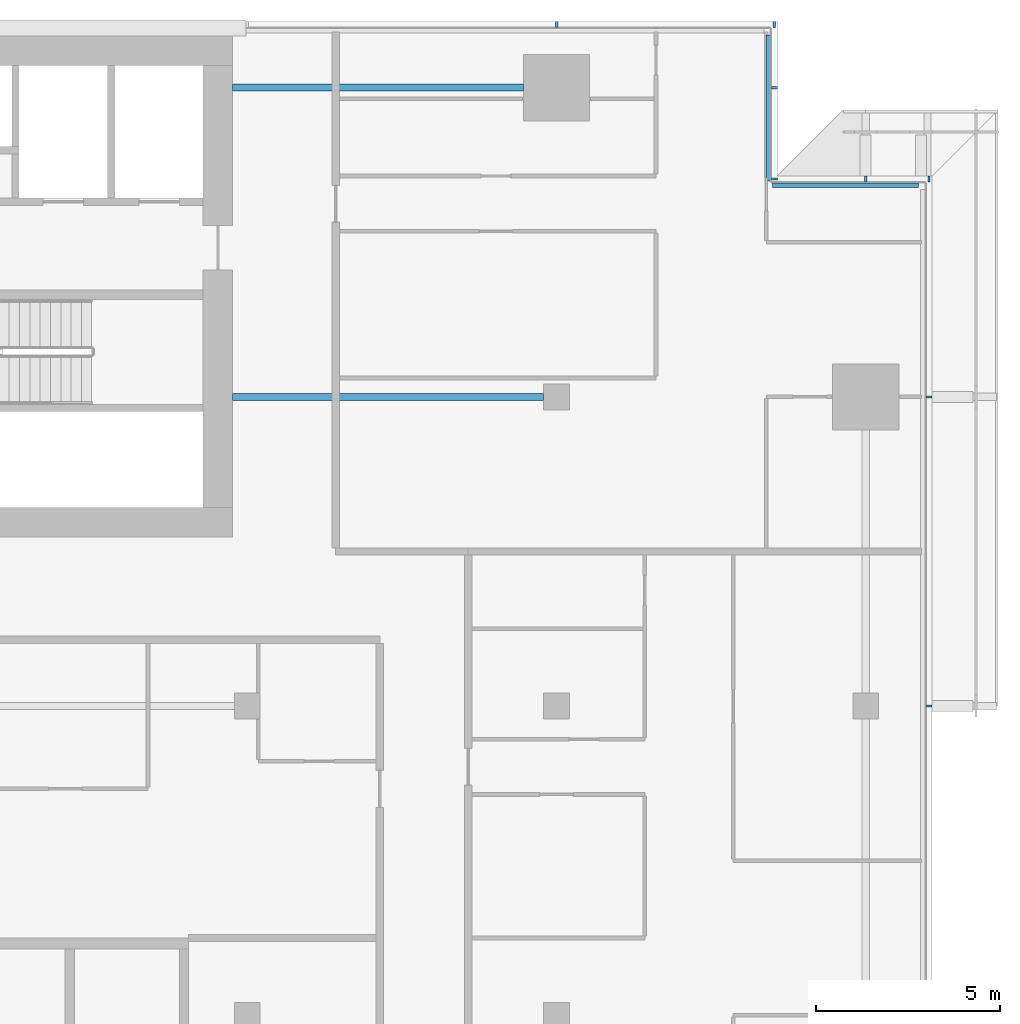
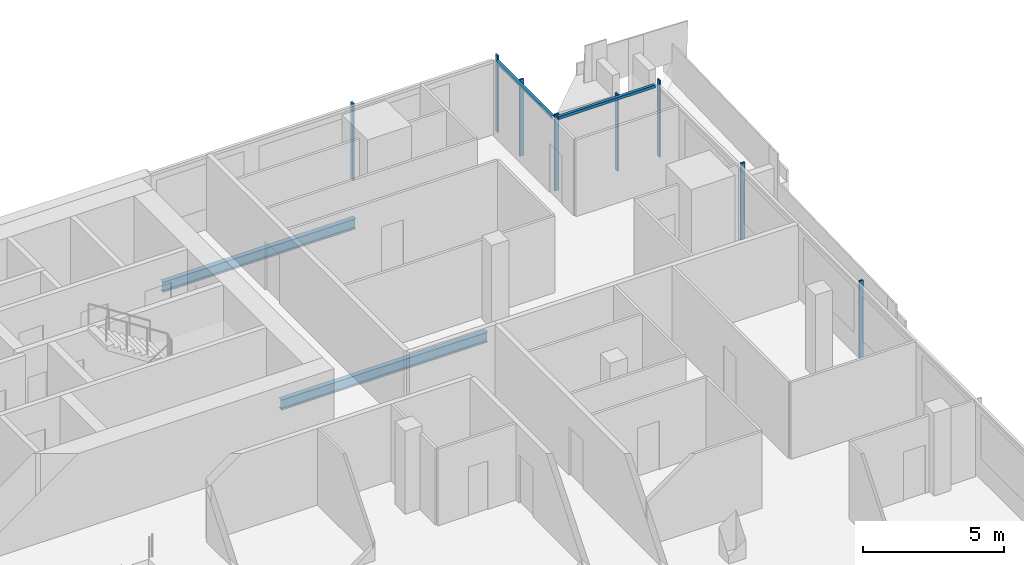
# One storey, part 14 of 30: 10 members, 2 beams, 4 elements without a shape of their own.
"""IFC4 building model written with IfcOpenShell, lengths in metres."""

import ifcopenshell
import ifcopenshell.guid

model = None  # the IFC model being written
_history = None  # IfcOwnerHistory: only IFC2X3 demands one
_inside = {}  # id of a spatial element -> (the spatial element, [elements in it])
_under = {}  # id of a project, library or spatial element -> (it, [spatial elements below it])
_declared = {}  # id of a project -> (the project, [libraries it declares])
_typed = {}  # id of a type object -> (the type object, [elements of that type])
_made_of = {}  # id of a material, layer set ... -> (it, [elements and type objects made of it])


def new_model(schema):
    """Start an empty IFC model of exactly this schema.

    Asked for "IFC4X3", IfcOpenShell would pick the latest addendum, in which some entities
    have other attributes; the version numbers below select the first issue.
    IFC2X3 requires an IfcOwnerHistory on every rooted entity: one is made here for all.
    """
    global model, _history
    if schema == "IFC4X3":
        model = ifcopenshell.file(schema_version=(4, 3, 0, 0))
    else:
        model = ifcopenshell.file(schema=schema)
    _inside.clear()
    _under.clear()
    _declared.clear()
    _typed.clear()
    _made_of.clear()
    _history = None
    if model.schema == "IFC2X3":
        org = make("IfcOrganization", Name="unknown")
        user = make(
            "IfcPersonAndOrganization",
            ThePerson=make("IfcPerson", FamilyName="unknown"),
            TheOrganization=org,
        )
        app = make(
            "IfcApplication",
            ApplicationDeveloper=org,
            Version="unknown",
            ApplicationFullName="unknown",
            ApplicationIdentifier="unknown",
        )
        _history = make(
            "IfcOwnerHistory",
            OwningUser=user,
            OwningApplication=app,
            ChangeAction="ADDED",
            CreationDate=0,
        )
    return model


def make(cls, **values):
    """One entity of the class cls with the attributes given. An attribute that is None is left unset."""
    return model.create_entity(
        cls, **{name: value for name, value in values.items() if value is not None}
    )


def rooted(cls, **values):
    """An entity with a GlobalId (a new one), such as an element, a storey or a relation."""
    return make(cls, GlobalId=ifcopenshell.guid.new(), OwnerHistory=_history, **values)


def si_unit(unit_type, name, prefix=None):
    """IfcSIUnit, for example si_unit("LENGTHUNIT", "METRE", prefix="MILLI")."""
    return make("IfcSIUnit", UnitType=unit_type, Prefix=prefix, Name=name)


def assignment(units):
    """IfcUnitAssignment: the units of a project."""
    return None if units is None else make("IfcUnitAssignment", Units=units)


def point(xyz):
    """IfcCartesianPoint."""
    return None if xyz is None else make("IfcCartesianPoint", Coordinates=xyz)


def direction(xyz):
    """IfcDirection."""
    return None if xyz is None else make("IfcDirection", DirectionRatios=xyz)


def frame(location, z_axis=None, x_axis=None):
    """IfcAxis2Placement3D, a coordinate frame: its origin and axes. An axis left out is left unset."""
    return make(
        "IfcAxis2Placement3D",
        Location=point(location),
        Axis=direction(z_axis),
        RefDirection=direction(x_axis),
    )


def frame_2d(location, x_axis=None):
    """IfcAxis2Placement2D, a coordinate frame in the plane: its origin and x axis."""
    return make(
        "IfcAxis2Placement2D", Location=point(location), RefDirection=direction(x_axis)
    )


def origin():
    """The frame at (0, 0, 0) with its axes left unset."""
    return frame((0.0, 0.0, 0.0))


def origin_2d():
    """The frame at (0, 0) in the plane with its x axis left unset."""
    return frame_2d((0.0, 0.0))


def place(relative_to, where):
    """IfcLocalPlacement: puts the frame where relative to a parent placement (None: the world)."""
    return make(
        "IfcLocalPlacement", PlacementRelTo=relative_to, RelativePlacement=where
    )


def context(
    kind, dimensions, precision=None, world=None, true_north=None, identifier=None
):
    """IfcGeometricRepresentationContext, for example the 3D "Model" context."""
    return make(
        "IfcGeometricRepresentationContext",
        ContextIdentifier=identifier,
        ContextType=kind,
        CoordinateSpaceDimension=dimensions,
        Precision=precision,
        WorldCoordinateSystem=world,
        TrueNorth=true_north,
    )


def subcontext(parent, identifier, kind, view, scale=None):
    """IfcGeometricRepresentationSubContext, for example "Body" below "Model"."""
    return make(
        "IfcGeometricRepresentationSubContext",
        ContextIdentifier=identifier,
        ContextType=kind,
        ParentContext=parent,
        TargetScale=scale,
        TargetView=view,
    )


def project(units=None, contexts=None):
    """IfcProject with its units and contexts."""
    return rooted(
        "IfcProject",
        Name="project",
        RepresentationContexts=contexts,
        UnitsInContext=assignment(units),
    )


def spatial(cls, under=None, at=None, **own):
    """A site, building, storey or space (cls), placed at a placement, below another one or the project."""
    s = rooted(cls, ObjectPlacement=at, **own)
    if under is not None:
        _under.setdefault(under.id(), (under, []))[1].append(s)
    return s


def profile(cls, at=None, kind="AREA", **sizes):
    """A parametric profile (cls). Its sizes go by their IFC names, for example OverallWidth=200.0."""
    return make(cls, ProfileType=kind, Position=at, **sizes)


def rectangle(**sizes):
    """IfcRectangleProfileDef."""
    return profile("IfcRectangleProfileDef", **sizes)


def i_section(**sizes):
    """IfcIShapeProfileDef."""
    return profile("IfcIShapeProfileDef", **sizes)


def extrude(swept, where, along, depth):
    """IfcExtrudedAreaSolid: the profile swept, set in the frame where, extruded along a direction by depth."""
    return make(
        "IfcExtrudedAreaSolid",
        SweptArea=swept,
        Position=where,
        ExtrudedDirection=direction(along),
        Depth=depth,
    )


def shape(context_of_items, identifier, shape_type, items):
    """IfcShapeRepresentation: the items that make up one representation, for example the "Body"."""
    return make(
        "IfcShapeRepresentation",
        ContextOfItems=context_of_items,
        RepresentationIdentifier=identifier,
        RepresentationType=shape_type,
        Items=items,
    )


def material(Name=None, Category=None):
    """IfcMaterial."""
    return make("IfcMaterial", Name=Name, Category=Category)


def material_profile(
    of_material, cross_section, Name=None, Category=None, Priority=None
):
    """IfcMaterialProfile: a cross section and its material."""
    return make(
        "IfcMaterialProfile",
        Name=Name,
        Material=of_material,
        Profile=cross_section,
        Priority=Priority,
        Category=Category,
    )


def profile_set(profiles, Name=None, composite=None):
    """IfcMaterialProfileSet."""
    return make(
        "IfcMaterialProfileSet",
        Name=Name,
        MaterialProfiles=profiles,
        CompositeProfile=composite,
    )


def made_of(thing, what):
    """Note that an element or type object is made of a material, layer set ...; save() writes the relation."""
    if what is not None:
        _made_of.setdefault(what.id(), (what, []))[1].append(thing)
    return thing


def type_object(cls, material=None, **own):
    """A type object (cls), such as IfcWallType, which elements share."""
    return made_of(rooted(cls, **own), material)


def element(
    cls,
    number,
    at=None,
    inside=None,
    cuts=None,
    type_object=None,
    material=None,
    context=None,
    identifier="Body",
    shape_type=None,
    held_by="IfcProductDefinitionShape",
    body=None,
    shapes=None,
    **own,
):
    """One element of the class cls, such as IfcWall. Its Tag is "e" and its number.

    at: its placement. inside: the storey or other place that contains it. cuts: it is an
    opening in that element (IfcRelVoidsElement). A single representation is given by context,
    identifier, shape_type and body (its items); several are given by shapes. held_by: the class
    of the entity that holds the representations. save() writes the other relations.
    """
    e = rooted(cls, Tag="e%d" % number, ObjectPlacement=at, **own)
    if body is not None:
        shapes = [shape(context, identifier, shape_type, body)]
    if shapes is not None:
        e.Representation = make(held_by, Representations=shapes)
    if inside is not None:
        _inside.setdefault(inside.id(), (inside, []))[1].append(e)
    if cuts is not None:
        rooted(
            "IfcRelVoidsElement", RelatingBuildingElement=cuts, RelatedOpeningElement=e
        )
    if type_object is not None:
        _typed.setdefault(type_object.id(), (type_object, []))[1].append(e)
    return made_of(e, material)


def aggregate(whole, parts):
    """IfcRelAggregates: a whole, such as a stair, and the parts it consists of."""
    return rooted("IfcRelAggregates", RelatingObject=whole, RelatedObjects=parts)


def save(model, path):
    """Write the relations noted so far, then the file.

    IfcRelAggregates (storeys below a building ...), IfcRelContainedInSpatialStructure (elements
    in a storey), IfcRelDefinesByType, IfcRelAssociatesMaterial and IfcRelDeclares: one each for
    every whole, place, type object, material and project.
    """
    for whole, parts in _under.values():
        aggregate(whole, parts)
    for where, things in _inside.values():
        rooted(
            "IfcRelContainedInSpatialStructure",
            RelatedElements=things,
            RelatingStructure=where,
        )
    for kind, things in _typed.values():
        rooted("IfcRelDefinesByType", RelatedObjects=things, RelatingType=kind)
    for what, things in _made_of.values():
        rooted("IfcRelAssociatesMaterial", RelatedObjects=things, RelatingMaterial=what)
    for by, libraries in _declared.values():
        rooted("IfcRelDeclares", RelatingContext=by, RelatedDefinitions=libraries)
    model.write(path)


model = new_model("IFC4")

# Units and contexts
model_context = context("Model", 3, precision=1e-05, world=origin(), true_north=direction((0.0, 1.0)))
body_context = subcontext(model_context, "Body", "Model", "MODEL_VIEW")
ifc_project = project(units=[si_unit("LENGTHUNIT", "METRE"), si_unit("AREAUNIT", "SQUARE_METRE"), si_unit("VOLUMEUNIT", "CUBIC_METRE"), si_unit("PLANEANGLEUNIT", "RADIAN"), si_unit("MASSUNIT", "GRAM", prefix="KILO")], contexts=[model_context])

# Site, building, storey
site_placement = place(None, origin())
site = spatial("IfcSite", under=ifc_project, at=site_placement, CompositionType="ELEMENT")
building_placement = place(site_placement, origin())
building = spatial("IfcBuilding", under=site, at=building_placement, Name="Saffron Gate Tower", CompositionType="ELEMENT")
storey_placement = place(building_placement, frame((0.0, 0.0, 165.449951171875)))
storey = spatial("IfcBuildingStorey", under=building, at=storey_placement, Name="L40", CompositionType="ELEMENT", Elevation=165.449951171875)

# Beams
ifc_material_1 = material(Name="Structural steel S355", Category="steel")
ifc_material_profile_1 = material_profile(ifc_material_1, i_section(OverallWidth=0.18994140625, OverallDepth=0.449951171875, WebThickness=0.009521484375, FlangeThickness=0.0146484375, FilletRadius=0.02099609375, at=origin_2d()))
ifc_profile_set_1 = profile_set([ifc_material_profile_1], Name="Structural steel S355")
beam_type = type_object("IfcBeamType", Name="B6 IPE 450", PredefinedType="BEAM", material=ifc_profile_set_1)
beam_1_placement = place(storey_placement, frame((116.64990234375, 65.39990234375, -0.5048828125), z_axis=(-1.0, 0.0, 0.0), x_axis=(0.0, -1.0, 0.0)))
element("IfcBeam", 1, at=beam_1_placement, inside=storey, type_object=beam_type, Name="B6 CORE TIE BEAM", PredefinedType="BEAM", context=body_context, shape_type="SweptSolid", body=[
    extrude(i_section(OverallWidth=0.18994140625, OverallDepth=0.449951171875, WebThickness=0.009521484375, FlangeThickness=0.0146484375, FilletRadius=0.02099609375, at=origin_2d()), origin(), (0.0, 0.0, 1.0), 8.449951171875),
])
beam_2_placement = place(storey_placement, frame((116.10009765625, 73.800048828125, -0.5048828125), z_axis=(-1.0, 0.0, 0.0), x_axis=(0.0, -1.0, 0.0)))
element("IfcBeam", 2, at=beam_2_placement, inside=storey, type_object=beam_type, Name="B6 CORE TIE BEAM", PredefinedType="BEAM", context=body_context, shape_type="SweptSolid", body=[
    extrude(i_section(OverallWidth=0.18994140625, OverallDepth=0.449951171875, WebThickness=0.009521484375, FlangeThickness=0.0146484375, FilletRadius=0.02099609375, at=origin_2d()), origin(), (0.0, 0.0, 1.0), 7.900146484375),
])

# Curtain wall, members
ifc_material_2 = material(Name="Aluminium, bronze anodised", Category="aluminium")
curtain_wall_type_1 = type_object("IfcCurtainWallType", Name="CWS2 curtain wall side facades", PredefinedType="NOTDEFINED", material=ifc_material_2)
curtain_wall_1_placement = place(storey_placement, origin())
curtain_wall_1 = element("IfcCurtainWall", 3, at=curtain_wall_1_placement, inside=storey, type_object=curtain_wall_type_1, Name="CWS2 run 4", PredefinedType="NOTDEFINED")
ifc_material_profile_2 = material_profile(ifc_material_2, rectangle(XDim=0.159912109375, YDim=0.06005859375, at=origin_2d()))
ifc_profile_set_2 = profile_set([ifc_material_profile_2], Name="Aluminium, bronze anodised")
member_type_1 = type_object("IfcMemberType", Name="CWS2 mullion 60x160", PredefinedType="MULLION", material=ifc_profile_set_2)
member_1_placement = place(storey_placement, frame((127.1201171875, 57.0, 0.0), z_axis=(0.0, 0.0, 1.0), x_axis=(-1.0, 0.0, 0.0)))
member_1 = element("IfcMember", 4, at=member_1_placement, type_object=member_type_1, Name="CWS2 mullion 4", PredefinedType="MULLION", context=body_context, shape_type="SweptSolid", body=[
    extrude(rectangle(XDim=0.159912109375, YDim=0.06005859375, at=origin_2d()), origin(), (0.0, 0.0, 1.0), 3.320068359375),
])
member_2_placement = place(storey_placement, frame((127.1201171875, 65.39990234375, 0.0), z_axis=(0.0, 0.0, 1.0), x_axis=(-1.0, 0.0, 0.0)))
member_2 = element("IfcMember", 5, at=member_2_placement, type_object=member_type_1, Name="CWS2 mullion 5", PredefinedType="MULLION", context=body_context, shape_type="SweptSolid", body=[
    extrude(rectangle(XDim=0.159912109375, YDim=0.06005859375, at=origin_2d()), origin(), (0.0, 0.0, 1.0), 3.320068359375),
])
aggregate(curtain_wall_1, [member_1, member_2])

curtain_wall_type_2 = type_object("IfcCurtainWallType", Name="CWS3 curtain wall rear facade", PredefinedType="NOTDEFINED", material=ifc_material_2)
curtain_wall_2_placement = place(storey_placement, origin())
curtain_wall_2 = element("IfcCurtainWall", 6, at=curtain_wall_2_placement, inside=storey, type_object=curtain_wall_type_2, Name="CWS3 run 7", PredefinedType="NOTDEFINED")
ifc_material_profile_3 = material_profile(ifc_material_2, rectangle(XDim=0.159912109375, YDim=0.070068359375, at=origin_2d()))
ifc_profile_set_3 = profile_set([ifc_material_profile_3], Name="Aluminium, bronze anodised")
member_type_2 = type_object("IfcMemberType", Name="CWS3 mullion 70x160", PredefinedType="MULLION", material=ifc_profile_set_3)
member_3_placement = place(storey_placement, frame((122.919921875, 75.52001953125, 0.0), z_axis=(0.0, 0.0, 1.0), x_axis=(0.0, -1.0, 0.0)))
member_3 = element("IfcMember", 7, at=member_3_placement, type_object=member_type_2, Name="CWS3 mullion 1", PredefinedType="MULLION", context=body_context, shape_type="SweptSolid", body=[
    extrude(rectangle(XDim=0.159912109375, YDim=0.070068359375, at=origin_2d()), origin(), (0.0, 0.0, 1.0), 3.320068359375),
])
member_4_placement = place(storey_placement, frame((117.0, 75.52001953125, 0.0), z_axis=(0.0, 0.0, 1.0), x_axis=(0.0, -1.0, 0.0)))
member_4 = element("IfcMember", 8, at=member_4_placement, type_object=member_type_2, Name="CWS3 mullion 2", PredefinedType="MULLION", context=body_context, shape_type="SweptSolid", body=[
    extrude(rectangle(XDim=0.159912109375, YDim=0.070068359375, at=origin_2d()), origin(), (0.0, 0.0, 1.0), 3.320068359375),
])
aggregate(curtain_wall_2, [member_3, member_4])

# Curtain wall, member
curtain_wall_type_3 = type_object("IfcCurtainWallType", Name="CWS4 curtain wall corner returns", PredefinedType="NOTDEFINED", material=ifc_material_2)
curtain_wall_3_placement = place(storey_placement, origin())
curtain_wall_3 = element("IfcCurtainWall", 9, at=curtain_wall_3_placement, inside=storey, type_object=curtain_wall_type_3, Name="CWS4 run 5", PredefinedType="NOTDEFINED")
ifc_material_profile_4 = material_profile(ifc_material_2, rectangle(XDim=0.1201171875, YDim=0.1201171875, at=origin_2d()))
ifc_profile_set_4 = profile_set([ifc_material_profile_4], Name="Aluminium, bronze anodised")
member_type_3 = type_object("IfcMemberType", Name="CWS4 head transom", PredefinedType="USERDEFINED", material=ifc_profile_set_4)
member_5_placement = place(storey_placement, frame((126.83203125, 71.152099609375, 3.260009765625), z_axis=(-1.0, 0.0, 0.0), x_axis=(0.0, -1.0, 0.0)))
member_5 = element("IfcMember", 10, at=member_5_placement, type_object=member_type_3, Name="CWS4 head transom", ObjectType="TRANSOM", PredefinedType="USERDEFINED", context=body_context, shape_type="SweptSolid", body=[
    extrude(rectangle(XDim=0.1201171875, YDim=0.1201171875, at=origin_2d()), origin(), (0.0, 0.0, 1.0), 3.9599609375),
])

curtain_wall_4_placement = place(storey_placement, origin())
curtain_wall_4 = element("IfcCurtainWall", 11, at=curtain_wall_4_placement, inside=storey, type_object=curtain_wall_type_3, Name="CWS4 run 6", PredefinedType="NOTDEFINED")
member_6_placement = place(storey_placement, frame((122.751953125, 71.27197265625, 3.260009765625), z_axis=(0.0, 1.0, 0.0), x_axis=(-1.0, 0.0, 0.0)))
member_6 = element("IfcMember", 12, at=member_6_placement, type_object=member_type_3, Name="CWS4 head transom", ObjectType="TRANSOM", PredefinedType="USERDEFINED", context=body_context, shape_type="SweptSolid", body=[
    extrude(rectangle(XDim=0.1201171875, YDim=0.1201171875, at=origin_2d()), origin(), (0.0, 0.0, 1.0), 3.9599609375),
])

# Member
ifc_material_profile_5 = material_profile(ifc_material_2, rectangle(XDim=0.159912109375, YDim=0.06005859375, at=origin_2d()))
ifc_profile_set_5 = profile_set([ifc_material_profile_5], Name="Aluminium, bronze anodised")
member_type_4 = type_object("IfcMemberType", Name="CWS4 mullion 60x160", PredefinedType="MULLION", material=ifc_profile_set_5)
member_7_placement = place(storey_placement, frame((127.1201171875, 71.320068359375, 0.0), z_axis=(0.0, 0.0, 1.0), x_axis=(0.0, -1.0, 0.0)))
member_7 = element("IfcMember", 13, at=member_7_placement, type_object=member_type_4, Name="CWS4 mullion 1", PredefinedType="MULLION", context=body_context, shape_type="SweptSolid", body=[
    extrude(rectangle(XDim=0.159912109375, YDim=0.06005859375, at=origin_2d()), origin(), (0.0, 0.0, 1.0), 3.320068359375),
])

member_8_placement = place(storey_placement, frame((125.39990234375, 71.320068359375, 0.0), z_axis=(0.0, 0.0, 1.0), x_axis=(0.0, -1.0, 0.0)))
member_8 = element("IfcMember", 14, at=member_8_placement, type_object=member_type_4, Name="CWS4 mullion 2", PredefinedType="MULLION", context=body_context, shape_type="SweptSolid", body=[
    extrude(rectangle(XDim=0.159912109375, YDim=0.06005859375, at=origin_2d()), origin(), (0.0, 0.0, 1.0), 3.320068359375),
])

aggregate(curtain_wall_3, [member_7, member_8, member_5])

member_9_placement = place(storey_placement, frame((122.919921875, 71.320068359375, 0.0), z_axis=(0.0, 0.0, 1.0), x_axis=(-1.0, 0.0, 0.0)))
member_9 = element("IfcMember", 15, at=member_9_placement, type_object=member_type_4, Name="CWS4 mullion 1", PredefinedType="MULLION", context=body_context, shape_type="SweptSolid", body=[
    extrude(rectangle(XDim=0.159912109375, YDim=0.06005859375, at=origin_2d()), origin(), (0.0, 0.0, 1.0), 3.320068359375),
])

member_10_placement = place(storey_placement, frame((122.919921875, 73.800048828125, 0.0), z_axis=(0.0, 0.0, 1.0), x_axis=(-1.0, 0.0, 0.0)))
member_10 = element("IfcMember", 16, at=member_10_placement, type_object=member_type_4, Name="CWS4 mullion 2", PredefinedType="MULLION", context=body_context, shape_type="SweptSolid", body=[
    extrude(rectangle(XDim=0.159912109375, YDim=0.06005859375, at=origin_2d()), origin(), (0.0, 0.0, 1.0), 3.320068359375),
])

aggregate(curtain_wall_4, [member_9, member_10, member_6])

save(model, "model.ifc")
